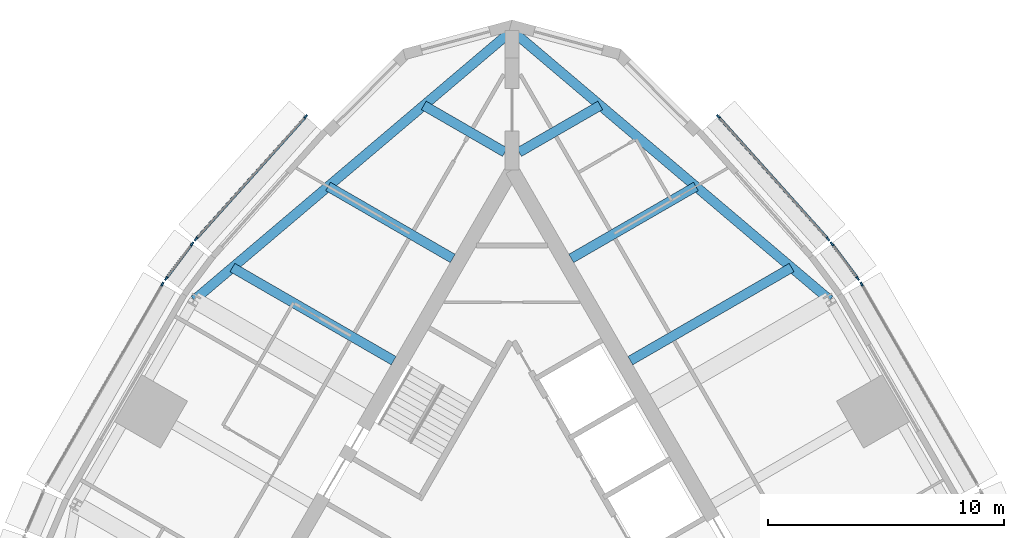
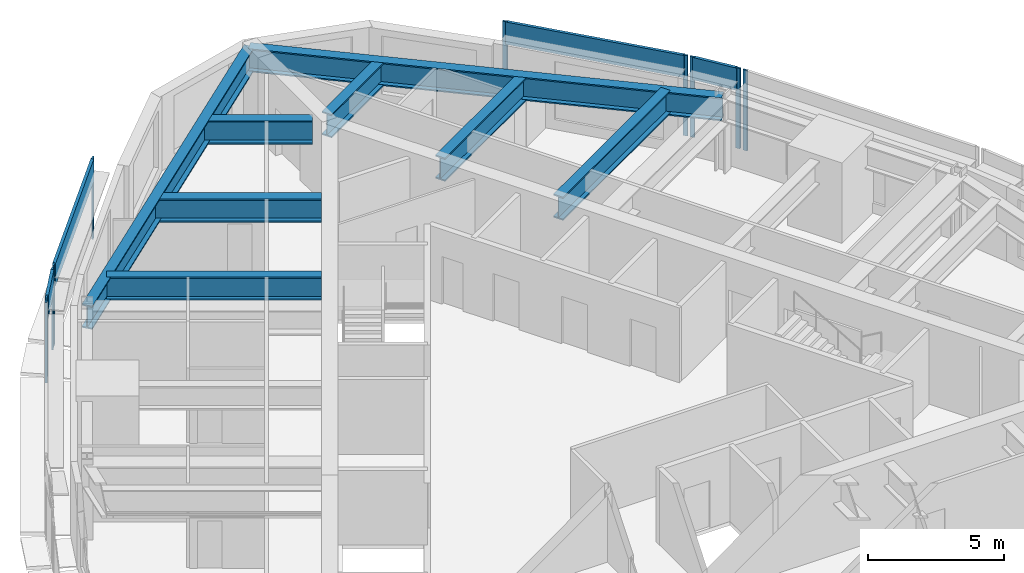
# One storey, part 5 of 12: 14 members, 8 beams, 6 elements without a shape of their own.
"""IFC4 building model written with IfcOpenShell, lengths in metres."""

from ifc_helpers import new_model, si_unit, direction, frame, origin, origin_2d, place, context, subcontext, project, spatial, rectangle, i_section, extrude, material, material_profile, profile_set, type_object, element, aggregate, save


model = new_model("IFC4")

# Units and contexts
model_context = context("Model", 3, precision=1e-05, world=origin(), true_north=direction((0.0, 1.0)))
body_context = subcontext(model_context, "Body", "Model", "MODEL_VIEW")
ifc_project = project(units=[si_unit("LENGTHUNIT", "METRE"), si_unit("AREAUNIT", "SQUARE_METRE"), si_unit("VOLUMEUNIT", "CUBIC_METRE"), si_unit("PLANEANGLEUNIT", "RADIAN"), si_unit("MASSUNIT", "GRAM", prefix="KILO")], contexts=[model_context])

# Site, building, storey
site_placement = place(None, origin())
site = spatial("IfcSite", under=ifc_project, at=site_placement, CompositionType="ELEMENT")
building_placement = place(site_placement, origin())
building = spatial("IfcBuilding", under=site, at=building_placement, Name="Trikona Tower", CompositionType="ELEMENT")
storey_placement = place(building_placement, frame((0.0, 0.0, 271.699951171875)))
storey = spatial("IfcBuildingStorey", under=building, at=storey_placement, Name="L72", CompositionType="ELEMENT", Elevation=271.699951171875)

# Curtain wall, member
ifc_material_1 = material(Name="Aluminium curtain wall system", Category="aluminium")
curtain_wall_type = type_object("IfcCurtainWallType", Name="Curtain wall DS3S", PredefinedType="NOTDEFINED", material=ifc_material_1)
curtain_wall_1_placement = place(storey_placement, origin())
curtain_wall_1 = element("IfcCurtainWall", 1, at=curtain_wall_1_placement, inside=storey, type_object=curtain_wall_type, Name="Curtain wall DS3S L72", PredefinedType="NOTDEFINED")
ifc_material_2 = material(Name="Aluminium mullion, pale anodised", Category="aluminium")
ifc_material_profile_1 = material_profile(ifc_material_2, rectangle(XDim=0.070068359375, YDim=0.179931640625, at=origin_2d()), Name="MUL-DS3S")
ifc_profile_set_1 = profile_set([ifc_material_profile_1], Name="Aluminium mullion, pale anodised")
member_type_1 = type_object("IfcMemberType", Name="Mullion DS3S 70x180", PredefinedType="MULLION", material=ifc_profile_set_1)
member_1_placement = place(storey_placement, frame((14.807861328125, 14.213134765625, 0.0), z_axis=(0.0, 0.0, 1.0), x_axis=(-0.866024619633, -0.500001358187, 0.0)))
member_1 = element("IfcMember", 2, at=member_1_placement, type_object=member_type_1, Name="CW-DS3S mullion 2", PredefinedType="MULLION", context=body_context, shape_type="SweptSolid", body=[
    extrude(rectangle(XDim=0.070068359375, YDim=0.179931640625, at=origin_2d()), origin(), (0.0, 0.0, 1.0), 3.60009765625),
])
aggregate(curtain_wall_1, [member_1])

# Curtain wall, members
curtain_wall_2_placement = place(storey_placement, origin())
curtain_wall_2 = element("IfcCurtainWall", 3, at=curtain_wall_2_placement, inside=storey, type_object=curtain_wall_type, Name="Curtain wall DS3S L72", PredefinedType="NOTDEFINED")
member_2_placement = place(storey_placement, frame((14.644287109375, 14.461181640625, 0.0), z_axis=(0.0, 0.0, 1.0), x_axis=(-0.800259657055, -0.599653634435, 0.0)))
member_2 = element("IfcMember", 4, at=member_2_placement, type_object=member_type_1, Name="CW-DS3S mullion 1", PredefinedType="MULLION", context=body_context, shape_type="SweptSolid", body=[
    extrude(rectangle(XDim=0.070068359375, YDim=0.179931640625, at=origin_2d()), origin(), (0.0, 0.0, 1.0), 3.60009765625),
])
member_3_placement = place(storey_placement, frame((13.55029296875, 15.9208984375, 0.0), z_axis=(0.0, 0.0, 1.0), x_axis=(-0.800259657055, -0.599653634435, 0.0)))
member_3 = element("IfcMember", 5, at=member_3_placement, type_object=member_type_1, Name="CW-DS3S mullion 2", PredefinedType="MULLION", context=body_context, shape_type="SweptSolid", body=[
    extrude(rectangle(XDim=0.070068359375, YDim=0.179931640625, at=origin_2d()), origin(), (0.0, 0.0, 1.0), 3.60009765625),
])

curtain_wall_3_placement = place(storey_placement, origin())
curtain_wall_3 = element("IfcCurtainWall", 6, at=curtain_wall_3_placement, inside=storey, type_object=curtain_wall_type, Name="Curtain wall DS3S L72", PredefinedType="NOTDEFINED")
member_4_placement = place(storey_placement, frame((13.380126953125, 16.128662109375, 0.0), z_axis=(0.0, 0.0, 1.0), x_axis=(-0.744771436797, -0.667319643748, 0.0)))
member_4 = element("IfcMember", 7, at=member_4_placement, type_object=member_type_1, Name="CW-DS3S mullion 1", PredefinedType="MULLION", context=body_context, shape_type="SweptSolid", body=[
    extrude(rectangle(XDim=0.070068359375, YDim=0.179931640625, at=origin_2d()), origin(), (0.0, 0.0, 1.0), 3.60009765625),
])
member_5_placement = place(storey_placement, frame((8.733642578125, 21.314453125, 0.0), z_axis=(0.0, 0.0, 1.0), x_axis=(-0.744771436797, -0.667319643748, 0.0)))
member_5 = element("IfcMember", 8, at=member_5_placement, type_object=member_type_1, Name="CW-DS3S mullion 2", PredefinedType="MULLION", context=body_context, shape_type="SweptSolid", body=[
    extrude(rectangle(XDim=0.070068359375, YDim=0.179931640625, at=origin_2d()), origin(), (0.0, 0.0, 1.0), 3.60009765625),
])

curtain_wall_4_placement = place(storey_placement, origin())
curtain_wall_4 = element("IfcCurtainWall", 9, at=curtain_wall_4_placement, inside=storey, type_object=curtain_wall_type, Name="Curtain wall DS3S L72", PredefinedType="NOTDEFINED")
member_6_placement = place(storey_placement, frame((-8.733642578125, 21.314453125, 0.0), z_axis=(0.0, 0.0, 1.0), x_axis=(0.744771436797, -0.667319643748, 0.0)))
member_6 = element("IfcMember", 10, at=member_6_placement, type_object=member_type_1, Name="CW-DS3S mullion 1", PredefinedType="MULLION", context=body_context, shape_type="SweptSolid", body=[
    extrude(rectangle(XDim=0.070068359375, YDim=0.179931640625, at=origin_2d()), origin(), (0.0, 0.0, 1.0), 3.60009765625),
])
member_7_placement = place(storey_placement, frame((-13.380126953125, 16.128662109375, 0.0), z_axis=(0.0, 0.0, 1.0), x_axis=(0.744771436797, -0.667319643748, 0.0)))
member_7 = element("IfcMember", 11, at=member_7_placement, type_object=member_type_1, Name="CW-DS3S mullion 2", PredefinedType="MULLION", context=body_context, shape_type="SweptSolid", body=[
    extrude(rectangle(XDim=0.070068359375, YDim=0.179931640625, at=origin_2d()), origin(), (0.0, 0.0, 1.0), 3.60009765625),
])

curtain_wall_5_placement = place(storey_placement, origin())
curtain_wall_5 = element("IfcCurtainWall", 12, at=curtain_wall_5_placement, inside=storey, type_object=curtain_wall_type, Name="Curtain wall DS3S L72", PredefinedType="NOTDEFINED")
member_8_placement = place(storey_placement, frame((-13.55029296875, 15.9208984375, 0.0), z_axis=(0.0, 0.0, 1.0), x_axis=(0.800259657055, -0.599653634435, 0.0)))
member_8 = element("IfcMember", 13, at=member_8_placement, type_object=member_type_1, Name="CW-DS3S mullion 1", PredefinedType="MULLION", context=body_context, shape_type="SweptSolid", body=[
    extrude(rectangle(XDim=0.070068359375, YDim=0.179931640625, at=origin_2d()), origin(), (0.0, 0.0, 1.0), 3.60009765625),
])
member_9_placement = place(storey_placement, frame((-14.644287109375, 14.461181640625, 0.0), z_axis=(0.0, 0.0, 1.0), x_axis=(0.800259657055, -0.599653634435, 0.0)))
member_9 = element("IfcMember", 14, at=member_9_placement, type_object=member_type_1, Name="CW-DS3S mullion 2", PredefinedType="MULLION", context=body_context, shape_type="SweptSolid", body=[
    extrude(rectangle(XDim=0.070068359375, YDim=0.179931640625, at=origin_2d()), origin(), (0.0, 0.0, 1.0), 3.60009765625),
])

# Curtain wall, member
curtain_wall_6_placement = place(storey_placement, origin())
curtain_wall_6 = element("IfcCurtainWall", 15, at=curtain_wall_6_placement, inside=storey, type_object=curtain_wall_type, Name="Curtain wall DS3S L72", PredefinedType="NOTDEFINED")
member_10_placement = place(storey_placement, frame((-14.807861328125, 14.213134765625, 0.0), z_axis=(0.0, 0.0, 1.0), x_axis=(0.866024619633, -0.500001358187, 0.0)))
member_10 = element("IfcMember", 16, at=member_10_placement, type_object=member_type_1, Name="CW-DS3S mullion 1", PredefinedType="MULLION", context=body_context, shape_type="SweptSolid", body=[
    extrude(rectangle(XDim=0.070068359375, YDim=0.179931640625, at=origin_2d()), origin(), (0.0, 0.0, 1.0), 3.60009765625),
])
aggregate(curtain_wall_6, [member_10])

# Beams
ifc_material_3 = material(Name="Steel ASTM A992 Grade 50", Category="steel")
ifc_material_profile_2 = material_profile(ifc_material_3, i_section(OverallWidth=0.408935546875, OverallDepth=1.04150390625, WebThickness=0.031005859375, FlangeThickness=0.055908203125, at=origin_2d()), Name="W40X397")
ifc_profile_set_2 = profile_set([ifc_material_profile_2], Name="Steel ASTM A992 Grade 50")
beam_type_1 = type_object("IfcBeamType", Name="Steel beam W40x397 (plant spandrel)", PredefinedType="SPANDREL", material=ifc_profile_set_2)
for number, where, z_axis, x_axis, name in (
    (17, (13.461181640625, 13.54541015625, 2.829345703125), (-0.762890626803, 0.646527564405, 0.0), (-0.646527564405, -0.762890626803, 0.0), "Spandrel beam L73 F2-3"),
    (18, (0.0, 24.953369140625, 2.829345703125), (-0.762890626803, -0.646527564405, 0.0), (0.646527564405, -0.762890626803, 0.0), "Spandrel beam L73 F3-1"),
):
    element("IfcBeam", number, at=place(storey_placement, frame(where, z_axis=z_axis, x_axis=x_axis)), inside=storey, type_object=beam_type_1, Name=name, PredefinedType="SPANDREL", context=body_context, shape_type="SweptSolid", body=[
        extrude(i_section(OverallWidth=0.408935546875, OverallDepth=1.04150390625, WebThickness=0.031005859375, FlangeThickness=0.055908203125, at=origin_2d()), origin(), (0.0, 0.0, 1.0), 17.64501953125),
    ])
ifc_material_4 = material(Name="Steel ASTM A992 Grade 50", Category="steel")
ifc_material_profile_3 = material_profile(ifc_material_4, i_section(OverallWidth=0.408935546875, OverallDepth=1.04150390625, WebThickness=0.031005859375, FlangeThickness=0.055908203125, at=origin_2d()), Name="W40X397")
ifc_profile_set_3 = profile_set([ifc_material_profile_3], Name="Steel ASTM A992 Grade 50")
beam_type_2 = type_object("IfcBeamType", Name="Steel beam W40x397 (plant)", PredefinedType="BEAM", material=ifc_profile_set_3)
for number, where, z_axis, x_axis, name in (
    (19, (5.009765625, 10.975341796875, 2.829345703125), (0.866034560358, 0.499984140014, 0.0), (-0.499984140014, 0.866034560358, 0.0), "Floor beam L73 F2 u7"),
    (20, (-5.009765625, 10.975341796875, 2.829345703125), (-0.866034560358, 0.499984140014, 0.0), (-0.499984140014, -0.866034560358, 0.0), "Floor beam L73 F3 u-7"),
):
    element("IfcBeam", number, at=place(storey_placement, frame(where, z_axis=z_axis, x_axis=x_axis)), inside=storey, type_object=beam_type_2, Name=name, PredefinedType="BEAM", context=body_context, shape_type="SweptSolid", body=[
        extrude(i_section(OverallWidth=0.408935546875, OverallDepth=1.04150390625, WebThickness=0.031005859375, FlangeThickness=0.055908203125, at=origin_2d()), origin(), (0.0, 0.0, 1.0), 7.887451171875),
    ])
ifc_material_5 = material(Name="Steel ASTM A992 Grade 50", Category="steel")
ifc_material_profile_4 = material_profile(ifc_material_5, i_section(OverallWidth=0.411376953125, OverallDepth=1.049072265625, WebThickness=0.033935546875, FlangeThickness=0.06005859375, at=origin_2d()), Name="W40X431")
ifc_profile_set_4 = profile_set([ifc_material_profile_4], Name="Steel ASTM A992 Grade 50")
beam_type_3 = type_object("IfcBeamType", Name="Steel beam W40x431 (plant wedge)", PredefinedType="BEAM", material=ifc_profile_set_4)
beam_1_placement = place(storey_placement, frame((2.509765625, 15.305419921875, 2.825439453125), z_axis=(0.866023498866, 0.500003299401, 0.0), x_axis=(-0.500003299401, 0.866023498866, 0.0)))
element("IfcBeam", 21, at=beam_1_placement, inside=storey, type_object=beam_type_3, Name="Floor beam L73 F2 u12", PredefinedType="BEAM", context=body_context, shape_type="SweptSolid", body=[
    extrude(i_section(OverallWidth=0.411376953125, OverallDepth=1.049072265625, WebThickness=0.033935546875, FlangeThickness=0.06005859375, at=origin_2d()), origin(), (0.0, 0.0, 1.0), 6.09521484375),
])
for number, where, z_axis, x_axis, name in (
    (22, (0.300048828125, 19.802978515625, 2.825439453125), (0.866004223388, 0.500036683728, 0.0), (-0.500036683728, 0.866004223388, 0.0), "Floor beam L73 F2 u17"),
    (23, (-0.300048828125, 19.802978515625, 2.825439453125), (-0.866004223388, 0.500036683728, 0.0), (-0.500036683728, -0.866004223388, 0.0), "Floor beam L73 F3 u-17"),
):
    element("IfcBeam", number, at=place(storey_placement, frame(where, z_axis=z_axis, x_axis=x_axis)), inside=storey, type_object=beam_type_3, Name=name, PredefinedType="BEAM", context=body_context, shape_type="SweptSolid", body=[
        extrude(i_section(OverallWidth=0.411376953125, OverallDepth=1.049072265625, WebThickness=0.033935546875, FlangeThickness=0.06005859375, at=origin_2d()), origin(), (0.0, 0.0, 1.0), 3.968017578125),
    ])
beam_2_placement = place(storey_placement, frame((-2.509765625, 15.305419921875, 2.825439453125), z_axis=(-0.866023498866, 0.500003299401, 0.0), x_axis=(-0.500003299401, -0.866023498866, 0.0)))
element("IfcBeam", 24, at=beam_2_placement, inside=storey, type_object=beam_type_3, Name="Floor beam L73 F3 u-12", PredefinedType="BEAM", context=body_context, shape_type="SweptSolid", body=[
    extrude(i_section(OverallWidth=0.411376953125, OverallDepth=1.049072265625, WebThickness=0.033935546875, FlangeThickness=0.06005859375, at=origin_2d()), origin(), (0.0, 0.0, 1.0), 6.09521484375),
])

# Member
ifc_material_6 = material(Name="Aluminium transom, pale anodised", Category="aluminium")
ifc_material_profile_5 = material_profile(ifc_material_6, rectangle(XDim=0.1201171875, YDim=1.0, at=origin_2d()), Name="TRN-DS3S")
ifc_profile_set_5 = profile_set([ifc_material_profile_5], Name="Aluminium transom, pale anodised")
member_type_2 = type_object("IfcMemberType", Name="Transom DS3S 1000x120", PredefinedType="USERDEFINED", material=ifc_profile_set_5)
member_11_placement = place(storey_placement, frame((14.623291015625, 14.489013671875, 3.10009765625), z_axis=(-0.599621429645, 0.80028378786, 0.0), x_axis=(-0.80028378786, -0.599621429645, 0.0)))
member_11 = element("IfcMember", 25, at=member_11_placement, type_object=member_type_2, Name="CW-DS3S transom 1.1", ObjectType="TRANSOM", PredefinedType="USERDEFINED", context=body_context, shape_type="SweptSolid", body=[
    extrude(rectangle(XDim=0.1201171875, YDim=1.0, at=origin_2d()), origin(), (0.0, 0.0, 1.0), 1.75439453125),
])

aggregate(curtain_wall_2, [member_2, member_3, member_11])

member_12_placement = place(storey_placement, frame((13.356689453125, 16.15478515625, 3.10009765625), z_axis=(-0.667313410703, 0.744777021595, 0.0), x_axis=(-0.744777021595, -0.667313410703, 0.0)))
member_12 = element("IfcMember", 26, at=member_12_placement, type_object=member_type_2, Name="CW-DS3S transom 1.1", ObjectType="TRANSOM", PredefinedType="USERDEFINED", context=body_context, shape_type="SweptSolid", body=[
    extrude(rectangle(XDim=0.1201171875, YDim=1.0, at=origin_2d()), origin(), (0.0, 0.0, 1.0), 6.892822265625),
])

aggregate(curtain_wall_3, [member_4, member_5, member_12])

member_13_placement = place(storey_placement, frame((-8.757080078125, 21.288330078125, 3.10009765625), z_axis=(-0.667313410703, -0.744777021595, 0.0), x_axis=(0.744777021595, -0.667313410703, 0.0)))
member_13 = element("IfcMember", 27, at=member_13_placement, type_object=member_type_2, Name="CW-DS3S transom 1.1", ObjectType="TRANSOM", PredefinedType="USERDEFINED", context=body_context, shape_type="SweptSolid", body=[
    extrude(rectangle(XDim=0.1201171875, YDim=1.0, at=origin_2d()), origin(), (0.0, 0.0, 1.0), 6.892822265625),
])

aggregate(curtain_wall_4, [member_6, member_7, member_13])

member_14_placement = place(storey_placement, frame((-13.5712890625, 15.89306640625, 3.10009765625), z_axis=(-0.599621429645, -0.80028378786, 0.0), x_axis=(0.80028378786, -0.599621429645, 0.0)))
member_14 = element("IfcMember", 28, at=member_14_placement, type_object=member_type_2, Name="CW-DS3S transom 1.1", ObjectType="TRANSOM", PredefinedType="USERDEFINED", context=body_context, shape_type="SweptSolid", body=[
    extrude(rectangle(XDim=0.1201171875, YDim=1.0, at=origin_2d()), origin(), (0.0, 0.0, 1.0), 1.75439453125),
])

aggregate(curtain_wall_5, [member_8, member_9, member_14])

save(model, "model.ifc")
